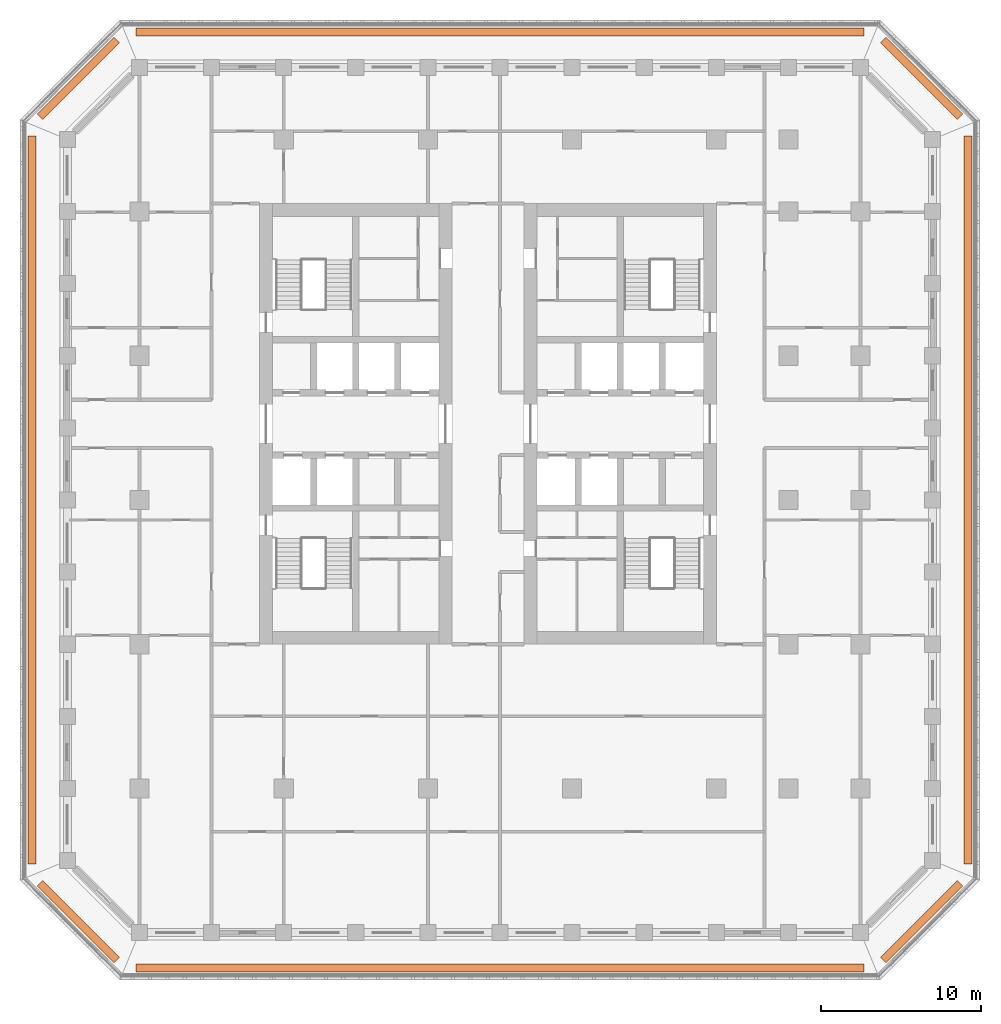
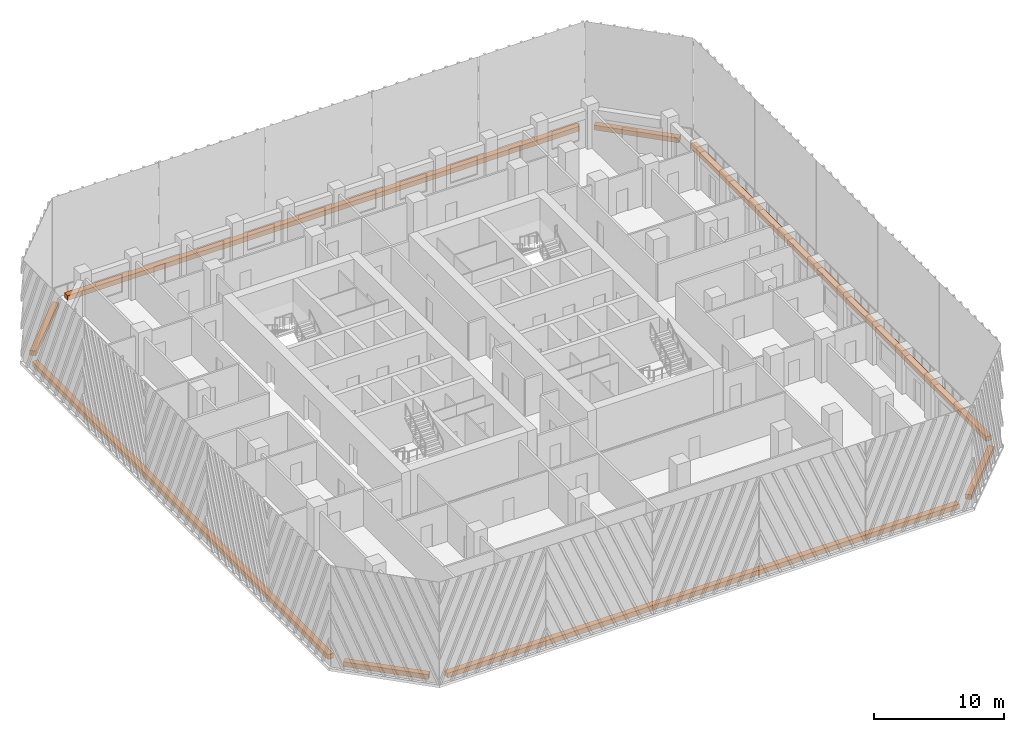
# One storey, part 17 of 17: 8 proxies.
"""IFC4 building model written with IfcOpenShell, lengths in metres."""

from ifc_helpers import new_model, si_unit, direction, frame, origin, origin_2d, place, context, subcontext, project, spatial, rectangle, extrude, material, type_object, element, save


model = new_model("IFC4")

# Units and contexts
model_context = context("Model", 3, precision=1e-05, world=origin(), true_north=direction((0.0, 1.0)))
body_context = subcontext(model_context, "Body", "Model", "MODEL_VIEW")
ifc_project = project(units=[si_unit("LENGTHUNIT", "METRE"), si_unit("AREAUNIT", "SQUARE_METRE"), si_unit("VOLUMEUNIT", "CUBIC_METRE"), si_unit("PLANEANGLEUNIT", "RADIAN"), si_unit("MASSUNIT", "GRAM", prefix="KILO")], contexts=[model_context])

# Site, building, storey
site_placement = place(None, origin())
site = spatial("IfcSite", under=ifc_project, at=site_placement, CompositionType="ELEMENT")
building_placement = place(site_placement, origin())
building = spatial("IfcBuilding", under=site, at=building_placement, Name="Corbel Stack Research Tower", CompositionType="ELEMENT")
storey_placement = place(building_placement, frame((0.0, 0.0, 216.10009765625)))
storey = spatial("IfcBuildingStorey", under=building, at=storey_placement, Name="L49", CompositionType="ELEMENT", Elevation=216.10009765625)

# Proxies
ifc_material = material(Name="Concrete C45/55", Category="concrete")
building_element_proxy_type = type_object("IfcBuildingElementProxyType", Name="Planter box", PredefinedType="USERDEFINED", material=ifc_material)
proxy_1_placement = place(storey_placement, frame((4.5, -29.199951171875, 0.0), z_axis=(0.0, 0.0, 1.0), x_axis=(1.0, 0.0, 0.0)))
element("IfcBuildingElementProxy", 1, at=proxy_1_placement, inside=storey, type_object=building_element_proxy_type, Name="Planter L49 S", ObjectType="PLANTER", PredefinedType="USERDEFINED", context=body_context, shape_type="SweptSolid", body=[
    extrude(rectangle(XDim=45.41064453125, YDim=0.5, at=origin_2d()), origin(), (0.0, 0.0, 1.0), 0.449951171875),
])
proxy_2_placement = place(storey_placement, frame((30.8056640625, -26.3056640625, 0.0), z_axis=(0.0, 0.0, 1.0), x_axis=(0.707106781187, 0.707106781187, 0.0)))
element("IfcBuildingElementProxy", 2, at=proxy_2_placement, inside=storey, type_object=building_element_proxy_type, Name="Planter L49 SE", ObjectType="PLANTER", PredefinedType="USERDEFINED", context=body_context, shape_type="SweptSolid", body=[
    extrude(rectangle(XDim=6.774658203125, YDim=0.5, at=origin_2d()), origin(), (0.0, 0.0, 1.0), 0.449951171875),
])
proxy_3_placement = place(storey_placement, frame((33.699951171875, 0.0, 0.0), z_axis=(0.0, 0.0, 1.0), x_axis=(0.0, 1.0, 0.0)))
element("IfcBuildingElementProxy", 3, at=proxy_3_placement, inside=storey, type_object=building_element_proxy_type, Name="Planter L49 E", ObjectType="PLANTER", PredefinedType="USERDEFINED", context=body_context, shape_type="SweptSolid", body=[
    extrude(rectangle(XDim=45.41064453125, YDim=0.5, at=origin_2d()), origin(), (0.0, 0.0, 1.0), 0.449951171875),
])
proxy_4_placement = place(storey_placement, frame((30.8056640625, 26.3056640625, 0.0), z_axis=(0.0, 0.0, 1.0), x_axis=(-0.707106781187, 0.707106781187, 0.0)))
element("IfcBuildingElementProxy", 4, at=proxy_4_placement, inside=storey, type_object=building_element_proxy_type, Name="Planter L49 NE", ObjectType="PLANTER", PredefinedType="USERDEFINED", context=body_context, shape_type="SweptSolid", body=[
    extrude(rectangle(XDim=6.774658203125, YDim=0.5, at=origin_2d()), origin(), (0.0, 0.0, 1.0), 0.449951171875),
])
proxy_5_placement = place(storey_placement, frame((4.5, 29.199951171875, 0.0), z_axis=(0.0, 0.0, 1.0), x_axis=(-1.0, 0.0, 0.0)))
element("IfcBuildingElementProxy", 5, at=proxy_5_placement, inside=storey, type_object=building_element_proxy_type, Name="Planter L49 N", ObjectType="PLANTER", PredefinedType="USERDEFINED", context=body_context, shape_type="SweptSolid", body=[
    extrude(rectangle(XDim=45.41064453125, YDim=0.5, at=origin_2d()), origin(), (0.0, 0.0, 1.0), 0.449951171875),
])
proxy_6_placement = place(storey_placement, frame((-21.8056640625, 26.3056640625, 0.0), z_axis=(0.0, 0.0, 1.0), x_axis=(-0.707106781187, -0.707106781187, 0.0)))
element("IfcBuildingElementProxy", 6, at=proxy_6_placement, inside=storey, type_object=building_element_proxy_type, Name="Planter L49 NW", ObjectType="PLANTER", PredefinedType="USERDEFINED", context=body_context, shape_type="SweptSolid", body=[
    extrude(rectangle(XDim=6.774658203125, YDim=0.5, at=origin_2d()), origin(), (0.0, 0.0, 1.0), 0.449951171875),
])
proxy_7_placement = place(storey_placement, frame((-24.699951171875, 0.0, 0.0), z_axis=(0.0, 0.0, 1.0), x_axis=(0.0, -1.0, 0.0)))
element("IfcBuildingElementProxy", 7, at=proxy_7_placement, inside=storey, type_object=building_element_proxy_type, Name="Planter L49 W", ObjectType="PLANTER", PredefinedType="USERDEFINED", context=body_context, shape_type="SweptSolid", body=[
    extrude(rectangle(XDim=45.41064453125, YDim=0.5, at=origin_2d()), origin(), (0.0, 0.0, 1.0), 0.449951171875),
])
proxy_8_placement = place(storey_placement, frame((-21.8056640625, -26.3056640625, 0.0), z_axis=(0.0, 0.0, 1.0), x_axis=(0.707106781187, -0.707106781187, 0.0)))
element("IfcBuildingElementProxy", 8, at=proxy_8_placement, inside=storey, type_object=building_element_proxy_type, Name="Planter L49 SW", ObjectType="PLANTER", PredefinedType="USERDEFINED", context=body_context, shape_type="SweptSolid", body=[
    extrude(rectangle(XDim=6.774658203125, YDim=0.5, at=origin_2d()), origin(), (0.0, 0.0, 1.0), 0.449951171875),
])

save(model, "model.ifc")
